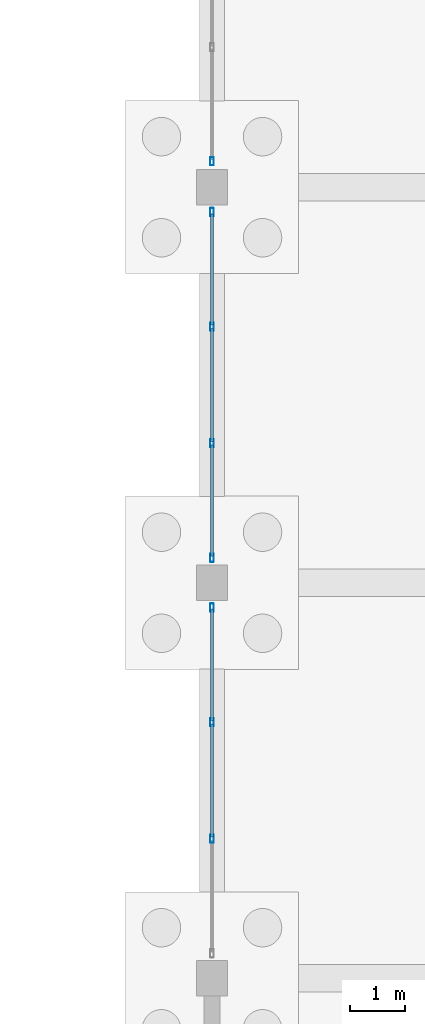
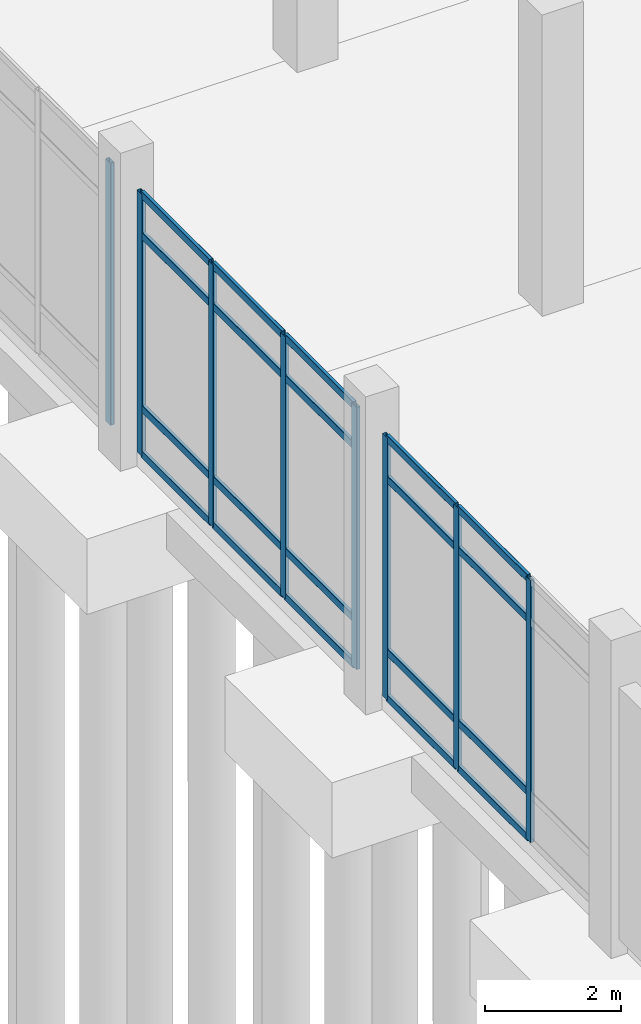
# One storey, part 65 of 109: 28 members, 3 elements without a shape of their own.
"""IFC4 building model written with IfcOpenShell, lengths in metres."""

from ifc_helpers import new_model, si_unit, direction, frame, origin, origin_2d, place, context, subcontext, project, spatial, hollow_rectangle, extrude, material, material_profile, profile_set, type_object, element, aggregate, save


model = new_model("IFC4")

# Units and contexts
model_context = context("Model", 3, precision=1e-05, world=origin(), true_north=direction((0.0, 1.0)))
body_context = subcontext(model_context, "Body", "Model", "MODEL_VIEW")
ifc_project = project(units=[si_unit("LENGTHUNIT", "METRE"), si_unit("AREAUNIT", "SQUARE_METRE"), si_unit("VOLUMEUNIT", "CUBIC_METRE"), si_unit("PLANEANGLEUNIT", "RADIAN"), si_unit("MASSUNIT", "GRAM", prefix="KILO")], contexts=[model_context])

# Site, building, storey
site_placement = place(None, origin())
site = spatial("IfcSite", under=ifc_project, at=site_placement, CompositionType="ELEMENT")
building_placement = place(site_placement, origin())
building = spatial("IfcBuilding", under=site, at=building_placement, Name="Lusvemor Sports Hall", CompositionType="ELEMENT")
storey_placement = place(building_placement, origin())
storey = spatial("IfcBuildingStorey", under=building, at=storey_placement, Name="L00", CompositionType="ELEMENT", Elevation=0.0)

# Curtain wall, members
ifc_material_1 = material(Name="Thermally broken bronze-anodized aluminium", Category="aluminium")
curtain_wall_type_1 = type_object("IfcCurtainWallType", Name="CW_CLIMB_D", PredefinedType="NOTDEFINED", material=ifc_material_1)
curtain_wall_1_placement = place(storey_placement, origin())
curtain_wall_1 = element("IfcCurtainWall", 1, at=curtain_wall_1_placement, inside=storey, type_object=curtain_wall_type_1, Name="Curtain Wall CW-V3W-L00-2", PredefinedType="NOTDEFINED")
ifc_material_2 = material(Name="Thermally broken bronze-anodized aluminium", Category="aluminium")
ifc_material_profile_1 = material_profile(ifc_material_2, hollow_rectangle(XDim=0.06494140625, YDim=0.14990234375, WallThickness=0.00390625, InnerFilletRadius=0.00390625, OuterFilletRadius=0.008056640625, at=origin_2d()), Name="CWMUL150x65x4")
ifc_profile_set_1 = profile_set([ifc_material_profile_1], Name="Thermally broken bronze-anodized aluminium")
member_type_1 = type_object("IfcMemberType", Name="CW_MUL_B", PredefinedType="MULLION", material=ifc_profile_set_1)
member_1_placement = place(storey_placement, frame((133.199951171875, 63.739990234375, 0.0), z_axis=(0.0, 0.0, 1.0), x_axis=(-1.0, 0.0, 0.0)))
member_1 = element("IfcMember", 2, at=member_1_placement, type_object=member_type_1, Name="CW04 mullion 2", PredefinedType="MULLION", context=body_context, shape_type="SweptSolid", body=[
    extrude(hollow_rectangle(XDim=0.06494140625, YDim=0.14990234375, WallThickness=0.00390625, InnerFilletRadius=0.00390625, OuterFilletRadius=0.008056640625, at=origin_2d()), origin(), (0.0, 0.0, 1.0), 4.699951171875),
])
member_2_placement = place(storey_placement, frame((133.199951171875, 65.860107421875, 0.0), z_axis=(0.0, 0.0, 1.0), x_axis=(-1.0, 0.0, 0.0)))
member_2 = element("IfcMember", 3, at=member_2_placement, type_object=member_type_1, Name="CW04 mullion 3", PredefinedType="MULLION", context=body_context, shape_type="SweptSolid", body=[
    extrude(hollow_rectangle(XDim=0.06494140625, YDim=0.14990234375, WallThickness=0.00390625, InnerFilletRadius=0.00390625, OuterFilletRadius=0.008056640625, at=origin_2d()), origin(), (0.0, 0.0, 1.0), 4.699951171875),
])
member_3_placement = place(storey_placement, frame((133.199951171875, 67.947509765625, 0.0), z_axis=(0.0, 0.0, 1.0), x_axis=(-1.0, 0.0, 0.0)))
member_3 = element("IfcMember", 4, at=member_3_placement, type_object=member_type_1, Name="CW04 mullion 4", PredefinedType="MULLION", context=body_context, shape_type="SweptSolid", body=[
    extrude(hollow_rectangle(XDim=0.06494140625, YDim=0.14990234375, WallThickness=0.00390625, InnerFilletRadius=0.00390625, OuterFilletRadius=0.008056640625, at=origin_2d()), origin(), (0.0, 0.0, 1.0), 4.699951171875),
])

curtain_wall_2_placement = place(storey_placement, origin())
curtain_wall_2 = element("IfcCurtainWall", 5, at=curtain_wall_2_placement, inside=storey, type_object=curtain_wall_type_1, Name="Curtain Wall CW-V3W-L00-3", PredefinedType="NOTDEFINED")
member_4_placement = place(storey_placement, frame((133.199951171875, 68.8525390625, 0.0), z_axis=(0.0, 0.0, 1.0), x_axis=(-1.0, 0.0, 0.0)))
member_4 = element("IfcMember", 6, at=member_4_placement, type_object=member_type_1, Name="CW04 mullion 1", PredefinedType="MULLION", context=body_context, shape_type="SweptSolid", body=[
    extrude(hollow_rectangle(XDim=0.06494140625, YDim=0.14990234375, WallThickness=0.00390625, InnerFilletRadius=0.00390625, OuterFilletRadius=0.008056640625, at=origin_2d()), origin(), (0.0, 0.0, 1.0), 4.699951171875),
])
member_5_placement = place(storey_placement, frame((133.199951171875, 70.93994140625, 0.0), z_axis=(0.0, 0.0, 1.0), x_axis=(-1.0, 0.0, 0.0)))
member_5 = element("IfcMember", 7, at=member_5_placement, type_object=member_type_1, Name="CW04 mullion 2", PredefinedType="MULLION", context=body_context, shape_type="SweptSolid", body=[
    extrude(hollow_rectangle(XDim=0.06494140625, YDim=0.14990234375, WallThickness=0.00390625, InnerFilletRadius=0.00390625, OuterFilletRadius=0.008056640625, at=origin_2d()), origin(), (0.0, 0.0, 1.0), 4.699951171875),
])
member_6_placement = place(storey_placement, frame((133.199951171875, 73.06005859375, 0.0), z_axis=(0.0, 0.0, 1.0), x_axis=(-1.0, 0.0, 0.0)))
member_6 = element("IfcMember", 8, at=member_6_placement, type_object=member_type_1, Name="CW04 mullion 3", PredefinedType="MULLION", context=body_context, shape_type="SweptSolid", body=[
    extrude(hollow_rectangle(XDim=0.06494140625, YDim=0.14990234375, WallThickness=0.00390625, InnerFilletRadius=0.00390625, OuterFilletRadius=0.008056640625, at=origin_2d()), origin(), (0.0, 0.0, 1.0), 4.699951171875),
])
member_7_placement = place(storey_placement, frame((133.199951171875, 75.1474609375, 0.0), z_axis=(0.0, 0.0, 1.0), x_axis=(-1.0, 0.0, 0.0)))
member_7 = element("IfcMember", 9, at=member_7_placement, type_object=member_type_1, Name="CW04 mullion 4", PredefinedType="MULLION", context=body_context, shape_type="SweptSolid", body=[
    extrude(hollow_rectangle(XDim=0.06494140625, YDim=0.14990234375, WallThickness=0.00390625, InnerFilletRadius=0.00390625, OuterFilletRadius=0.008056640625, at=origin_2d()), origin(), (0.0, 0.0, 1.0), 4.699951171875),
])

# Curtain wall, member
ifc_material_3 = material(Name="Thermally broken bronze-anodized aluminium", Category="aluminium")
curtain_wall_type_2 = type_object("IfcCurtainWallType", Name="CW_PASSAGE_E", PredefinedType="NOTDEFINED", material=ifc_material_3)
curtain_wall_3_placement = place(storey_placement, origin())
curtain_wall_3 = element("IfcCurtainWall", 10, at=curtain_wall_3_placement, inside=storey, type_object=curtain_wall_type_2, Name="Curtain Wall CW-NLINK-133-L00", PredefinedType="NOTDEFINED")
member_8_placement = place(storey_placement, frame((133.199951171875, 76.072509765625, 0.0), z_axis=(0.0, 0.0, 1.0), x_axis=(-1.0, 0.0, 0.0)))
member_8 = element("IfcMember", 11, at=member_8_placement, type_object=member_type_1, Name="CW05 mullion 1", PredefinedType="MULLION", context=body_context, shape_type="SweptSolid", body=[
    extrude(hollow_rectangle(XDim=0.06494140625, YDim=0.14990234375, WallThickness=0.00390625, InnerFilletRadius=0.00390625, OuterFilletRadius=0.008056640625, at=origin_2d()), origin(), (0.0, 0.0, 1.0), 4.699951171875),
])
aggregate(curtain_wall_3, [member_8])

# Member
ifc_material_4 = material(Name="Thermally broken bronze-anodized aluminium", Category="aluminium")
ifc_material_profile_2 = material_profile(ifc_material_4, hollow_rectangle(XDim=0.06005859375, YDim=0.135009765625, WallThickness=0.00390625, InnerFilletRadius=0.00390625, OuterFilletRadius=0.008056640625, at=origin_2d()), Name="CWTRN135x60x4")
ifc_profile_set_2 = profile_set([ifc_material_profile_2], Name="Thermally broken bronze-anodized aluminium")
member_type_2 = type_object("IfcMemberType", Name="CW_TRN_B", PredefinedType="USERDEFINED", material=ifc_profile_set_2)
member_9_placement = place(storey_placement, frame((133.199951171875, 63.7724609375, 0.030029296875), z_axis=(0.0, 1.0, 0.0), x_axis=(-1.0, 0.0, 0.0)))
member_9 = element("IfcMember", 12, at=member_9_placement, type_object=member_type_2, Name="CW04 transom 2.1", ObjectType="TRANSOM", PredefinedType="USERDEFINED", context=body_context, shape_type="SweptSolid", body=[
    extrude(hollow_rectangle(XDim=0.06005859375, YDim=0.135009765625, WallThickness=0.00390625, InnerFilletRadius=0.00390625, OuterFilletRadius=0.008056640625, at=origin_2d()), origin(), (0.0, 0.0, 1.0), 2.054931640625),
])

member_10_placement = place(storey_placement, frame((133.199951171875, 63.7724609375, 0.85009765625), z_axis=(0.0, 1.0, 0.0), x_axis=(-1.0, 0.0, 0.0)))
member_10 = element("IfcMember", 13, at=member_10_placement, type_object=member_type_2, Name="CW04 transom 2.2", ObjectType="TRANSOM", PredefinedType="USERDEFINED", context=body_context, shape_type="SweptSolid", body=[
    extrude(hollow_rectangle(XDim=0.06005859375, YDim=0.135009765625, WallThickness=0.00390625, InnerFilletRadius=0.00390625, OuterFilletRadius=0.008056640625, at=origin_2d()), origin(), (0.0, 0.0, 1.0), 2.054931640625),
])

member_11_placement = place(storey_placement, frame((133.199951171875, 63.7724609375, 3.949951171875), z_axis=(0.0, 1.0, 0.0), x_axis=(-1.0, 0.0, 0.0)))
member_11 = element("IfcMember", 14, at=member_11_placement, type_object=member_type_2, Name="CW04 transom 2.3", ObjectType="TRANSOM", PredefinedType="USERDEFINED", context=body_context, shape_type="SweptSolid", body=[
    extrude(hollow_rectangle(XDim=0.06005859375, YDim=0.135009765625, WallThickness=0.00390625, InnerFilletRadius=0.00390625, OuterFilletRadius=0.008056640625, at=origin_2d()), origin(), (0.0, 0.0, 1.0), 2.054931640625),
])

member_12_placement = place(storey_placement, frame((133.199951171875, 63.7724609375, 4.669921875), z_axis=(0.0, 1.0, 0.0), x_axis=(-1.0, 0.0, 0.0)))
member_12 = element("IfcMember", 15, at=member_12_placement, type_object=member_type_2, Name="CW04 transom 2.4", ObjectType="TRANSOM", PredefinedType="USERDEFINED", context=body_context, shape_type="SweptSolid", body=[
    extrude(hollow_rectangle(XDim=0.06005859375, YDim=0.135009765625, WallThickness=0.00390625, InnerFilletRadius=0.00390625, OuterFilletRadius=0.008056640625, at=origin_2d()), origin(), (0.0, 0.0, 1.0), 2.054931640625),
])

member_13_placement = place(storey_placement, frame((133.199951171875, 65.892578125, 0.030029296875), z_axis=(0.0, 1.0, 0.0), x_axis=(-1.0, 0.0, 0.0)))
member_13 = element("IfcMember", 16, at=member_13_placement, type_object=member_type_2, Name="CW04 transom 3.1", ObjectType="TRANSOM", PredefinedType="USERDEFINED", context=body_context, shape_type="SweptSolid", body=[
    extrude(hollow_rectangle(XDim=0.06005859375, YDim=0.135009765625, WallThickness=0.00390625, InnerFilletRadius=0.00390625, OuterFilletRadius=0.008056640625, at=origin_2d()), origin(), (0.0, 0.0, 1.0), 2.0224609375),
])

member_14_placement = place(storey_placement, frame((133.199951171875, 65.892578125, 0.85009765625), z_axis=(0.0, 1.0, 0.0), x_axis=(-1.0, 0.0, 0.0)))
member_14 = element("IfcMember", 17, at=member_14_placement, type_object=member_type_2, Name="CW04 transom 3.2", ObjectType="TRANSOM", PredefinedType="USERDEFINED", context=body_context, shape_type="SweptSolid", body=[
    extrude(hollow_rectangle(XDim=0.06005859375, YDim=0.135009765625, WallThickness=0.00390625, InnerFilletRadius=0.00390625, OuterFilletRadius=0.008056640625, at=origin_2d()), origin(), (0.0, 0.0, 1.0), 2.0224609375),
])

member_15_placement = place(storey_placement, frame((133.199951171875, 65.892578125, 3.949951171875), z_axis=(0.0, 1.0, 0.0), x_axis=(-1.0, 0.0, 0.0)))
member_15 = element("IfcMember", 18, at=member_15_placement, type_object=member_type_2, Name="CW04 transom 3.3", ObjectType="TRANSOM", PredefinedType="USERDEFINED", context=body_context, shape_type="SweptSolid", body=[
    extrude(hollow_rectangle(XDim=0.06005859375, YDim=0.135009765625, WallThickness=0.00390625, InnerFilletRadius=0.00390625, OuterFilletRadius=0.008056640625, at=origin_2d()), origin(), (0.0, 0.0, 1.0), 2.0224609375),
])

member_16_placement = place(storey_placement, frame((133.199951171875, 65.892578125, 4.669921875), z_axis=(0.0, 1.0, 0.0), x_axis=(-1.0, 0.0, 0.0)))
member_16 = element("IfcMember", 19, at=member_16_placement, type_object=member_type_2, Name="CW04 transom 3.4", ObjectType="TRANSOM", PredefinedType="USERDEFINED", context=body_context, shape_type="SweptSolid", body=[
    extrude(hollow_rectangle(XDim=0.06005859375, YDim=0.135009765625, WallThickness=0.00390625, InnerFilletRadius=0.00390625, OuterFilletRadius=0.008056640625, at=origin_2d()), origin(), (0.0, 0.0, 1.0), 2.0224609375),
])

aggregate(curtain_wall_1, [member_1, member_2, member_3, member_9, member_10, member_11, member_12, member_13, member_14, member_15, member_16])

member_17_placement = place(storey_placement, frame((133.199951171875, 68.885009765625, 0.030029296875), z_axis=(0.0, 1.0, 0.0), x_axis=(-1.0, 0.0, 0.0)))
member_17 = element("IfcMember", 20, at=member_17_placement, type_object=member_type_2, Name="CW04 transom 1.1", ObjectType="TRANSOM", PredefinedType="USERDEFINED", context=body_context, shape_type="SweptSolid", body=[
    extrude(hollow_rectangle(XDim=0.06005859375, YDim=0.135009765625, WallThickness=0.00390625, InnerFilletRadius=0.00390625, OuterFilletRadius=0.008056640625, at=origin_2d()), origin(), (0.0, 0.0, 1.0), 2.0224609375),
])

member_18_placement = place(storey_placement, frame((133.199951171875, 68.885009765625, 0.85009765625), z_axis=(0.0, 1.0, 0.0), x_axis=(-1.0, 0.0, 0.0)))
member_18 = element("IfcMember", 21, at=member_18_placement, type_object=member_type_2, Name="CW04 transom 1.2", ObjectType="TRANSOM", PredefinedType="USERDEFINED", context=body_context, shape_type="SweptSolid", body=[
    extrude(hollow_rectangle(XDim=0.06005859375, YDim=0.135009765625, WallThickness=0.00390625, InnerFilletRadius=0.00390625, OuterFilletRadius=0.008056640625, at=origin_2d()), origin(), (0.0, 0.0, 1.0), 2.0224609375),
])

member_19_placement = place(storey_placement, frame((133.199951171875, 68.885009765625, 3.949951171875), z_axis=(0.0, 1.0, 0.0), x_axis=(-1.0, 0.0, 0.0)))
member_19 = element("IfcMember", 22, at=member_19_placement, type_object=member_type_2, Name="CW04 transom 1.3", ObjectType="TRANSOM", PredefinedType="USERDEFINED", context=body_context, shape_type="SweptSolid", body=[
    extrude(hollow_rectangle(XDim=0.06005859375, YDim=0.135009765625, WallThickness=0.00390625, InnerFilletRadius=0.00390625, OuterFilletRadius=0.008056640625, at=origin_2d()), origin(), (0.0, 0.0, 1.0), 2.0224609375),
])

member_20_placement = place(storey_placement, frame((133.199951171875, 68.885009765625, 4.669921875), z_axis=(0.0, 1.0, 0.0), x_axis=(-1.0, 0.0, 0.0)))
member_20 = element("IfcMember", 23, at=member_20_placement, type_object=member_type_2, Name="CW04 transom 1.4", ObjectType="TRANSOM", PredefinedType="USERDEFINED", context=body_context, shape_type="SweptSolid", body=[
    extrude(hollow_rectangle(XDim=0.06005859375, YDim=0.135009765625, WallThickness=0.00390625, InnerFilletRadius=0.00390625, OuterFilletRadius=0.008056640625, at=origin_2d()), origin(), (0.0, 0.0, 1.0), 2.0224609375),
])

member_21_placement = place(storey_placement, frame((133.199951171875, 70.972412109375, 0.030029296875), z_axis=(0.0, 1.0, 0.0), x_axis=(-1.0, 0.0, 0.0)))
member_21 = element("IfcMember", 24, at=member_21_placement, type_object=member_type_2, Name="CW04 transom 2.1", ObjectType="TRANSOM", PredefinedType="USERDEFINED", context=body_context, shape_type="SweptSolid", body=[
    extrude(hollow_rectangle(XDim=0.06005859375, YDim=0.135009765625, WallThickness=0.00390625, InnerFilletRadius=0.00390625, OuterFilletRadius=0.008056640625, at=origin_2d()), origin(), (0.0, 0.0, 1.0), 2.05517578125),
])

member_22_placement = place(storey_placement, frame((133.199951171875, 70.972412109375, 0.85009765625), z_axis=(0.0, 1.0, 0.0), x_axis=(-1.0, 0.0, 0.0)))
member_22 = element("IfcMember", 25, at=member_22_placement, type_object=member_type_2, Name="CW04 transom 2.2", ObjectType="TRANSOM", PredefinedType="USERDEFINED", context=body_context, shape_type="SweptSolid", body=[
    extrude(hollow_rectangle(XDim=0.06005859375, YDim=0.135009765625, WallThickness=0.00390625, InnerFilletRadius=0.00390625, OuterFilletRadius=0.008056640625, at=origin_2d()), origin(), (0.0, 0.0, 1.0), 2.05517578125),
])

member_23_placement = place(storey_placement, frame((133.199951171875, 70.972412109375, 3.949951171875), z_axis=(0.0, 1.0, 0.0), x_axis=(-1.0, 0.0, 0.0)))
member_23 = element("IfcMember", 26, at=member_23_placement, type_object=member_type_2, Name="CW04 transom 2.3", ObjectType="TRANSOM", PredefinedType="USERDEFINED", context=body_context, shape_type="SweptSolid", body=[
    extrude(hollow_rectangle(XDim=0.06005859375, YDim=0.135009765625, WallThickness=0.00390625, InnerFilletRadius=0.00390625, OuterFilletRadius=0.008056640625, at=origin_2d()), origin(), (0.0, 0.0, 1.0), 2.05517578125),
])

member_24_placement = place(storey_placement, frame((133.199951171875, 70.972412109375, 4.669921875), z_axis=(0.0, 1.0, 0.0), x_axis=(-1.0, 0.0, 0.0)))
member_24 = element("IfcMember", 27, at=member_24_placement, type_object=member_type_2, Name="CW04 transom 2.4", ObjectType="TRANSOM", PredefinedType="USERDEFINED", context=body_context, shape_type="SweptSolid", body=[
    extrude(hollow_rectangle(XDim=0.06005859375, YDim=0.135009765625, WallThickness=0.00390625, InnerFilletRadius=0.00390625, OuterFilletRadius=0.008056640625, at=origin_2d()), origin(), (0.0, 0.0, 1.0), 2.05517578125),
])

member_25_placement = place(storey_placement, frame((133.199951171875, 73.092529296875, 0.030029296875), z_axis=(0.0, 1.0, 0.0), x_axis=(-1.0, 0.0, 0.0)))
member_25 = element("IfcMember", 28, at=member_25_placement, type_object=member_type_2, Name="CW04 transom 3.1", ObjectType="TRANSOM", PredefinedType="USERDEFINED", context=body_context, shape_type="SweptSolid", body=[
    extrude(hollow_rectangle(XDim=0.06005859375, YDim=0.135009765625, WallThickness=0.00390625, InnerFilletRadius=0.00390625, OuterFilletRadius=0.008056640625, at=origin_2d()), origin(), (0.0, 0.0, 1.0), 2.0224609375),
])

member_26_placement = place(storey_placement, frame((133.199951171875, 73.092529296875, 0.85009765625), z_axis=(0.0, 1.0, 0.0), x_axis=(-1.0, 0.0, 0.0)))
member_26 = element("IfcMember", 29, at=member_26_placement, type_object=member_type_2, Name="CW04 transom 3.2", ObjectType="TRANSOM", PredefinedType="USERDEFINED", context=body_context, shape_type="SweptSolid", body=[
    extrude(hollow_rectangle(XDim=0.06005859375, YDim=0.135009765625, WallThickness=0.00390625, InnerFilletRadius=0.00390625, OuterFilletRadius=0.008056640625, at=origin_2d()), origin(), (0.0, 0.0, 1.0), 2.0224609375),
])

member_27_placement = place(storey_placement, frame((133.199951171875, 73.092529296875, 3.949951171875), z_axis=(0.0, 1.0, 0.0), x_axis=(-1.0, 0.0, 0.0)))
member_27 = element("IfcMember", 30, at=member_27_placement, type_object=member_type_2, Name="CW04 transom 3.3", ObjectType="TRANSOM", PredefinedType="USERDEFINED", context=body_context, shape_type="SweptSolid", body=[
    extrude(hollow_rectangle(XDim=0.06005859375, YDim=0.135009765625, WallThickness=0.00390625, InnerFilletRadius=0.00390625, OuterFilletRadius=0.008056640625, at=origin_2d()), origin(), (0.0, 0.0, 1.0), 2.0224609375),
])

member_28_placement = place(storey_placement, frame((133.199951171875, 73.092529296875, 4.669921875), z_axis=(0.0, 1.0, 0.0), x_axis=(-1.0, 0.0, 0.0)))
member_28 = element("IfcMember", 31, at=member_28_placement, type_object=member_type_2, Name="CW04 transom 3.4", ObjectType="TRANSOM", PredefinedType="USERDEFINED", context=body_context, shape_type="SweptSolid", body=[
    extrude(hollow_rectangle(XDim=0.06005859375, YDim=0.135009765625, WallThickness=0.00390625, InnerFilletRadius=0.00390625, OuterFilletRadius=0.008056640625, at=origin_2d()), origin(), (0.0, 0.0, 1.0), 2.0224609375),
])

aggregate(curtain_wall_2, [member_4, member_5, member_6, member_7, member_17, member_18, member_19, member_20, member_21, member_22, member_23, member_24, member_25, member_26, member_27, member_28])

save(model, "model.ifc")
